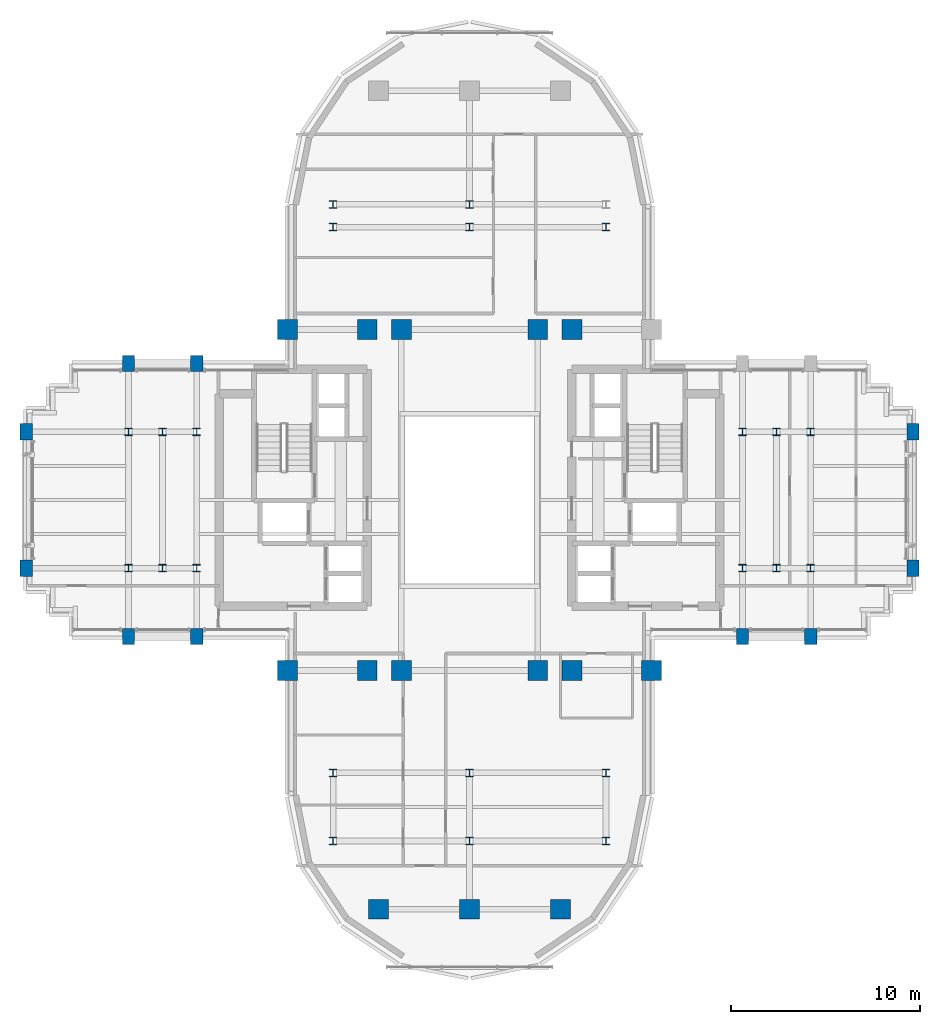
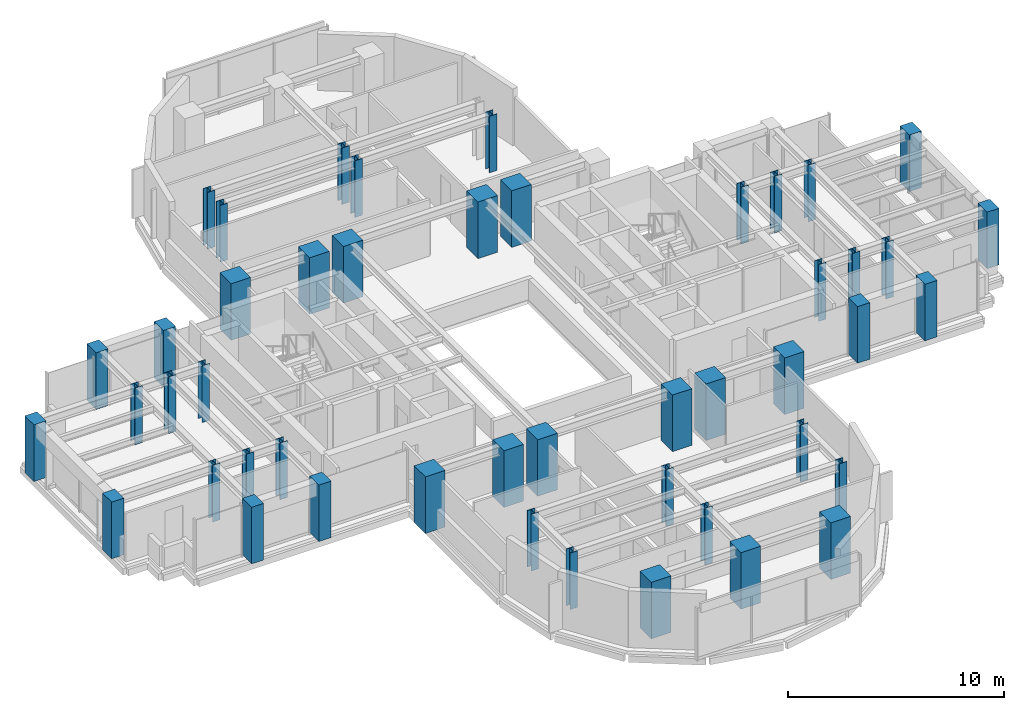
# One storey, part 1 of 14: 47 columns.
"""IFC4 building model written with IfcOpenShell, lengths in metres."""

from ifc_helpers import new_model, si_unit, direction, frame, origin, origin_2d, place, context, subcontext, project, spatial, rectangle, i_section, extrude, source, transform, mapped, material, material_profile, profile_set, type_object, element, save


model = new_model("IFC4")

# Units and contexts
model_context = context("Model", 3, precision=1e-05, world=origin(), true_north=direction((0.0, 1.0)))
body_context = subcontext(model_context, "Body", "Model", "MODEL_VIEW")
ifc_project = project(units=[si_unit("LENGTHUNIT", "METRE"), si_unit("AREAUNIT", "SQUARE_METRE"), si_unit("VOLUMEUNIT", "CUBIC_METRE"), si_unit("PLANEANGLEUNIT", "RADIAN"), si_unit("MASSUNIT", "GRAM", prefix="KILO")], contexts=[model_context])

# Site, building, storey
site_placement = place(None, origin())
site = spatial("IfcSite", under=ifc_project, at=site_placement, CompositionType="ELEMENT")
building_placement = place(site_placement, origin())
building = spatial("IfcBuilding", under=site, at=building_placement, Name="Keilestroom Media Tower", CompositionType="ELEMENT")
storey_placement = place(building_placement, frame((0.0, 0.0, 134.60009765625)))
storey = spatial("IfcBuildingStorey", under=building, at=storey_placement, Name="L36", CompositionType="ELEMENT", Elevation=134.60009765625)

# Columns
ifc_material_1 = material(Name="Precast concrete C40/50", Category="concrete")
ifc_material_profile_1 = material_profile(ifc_material_1, rectangle(XDim=0.64990234375, YDim=0.85009765625, at=origin_2d()), Name="PC 850x650")
ifc_profile_set_1 = profile_set([ifc_material_profile_1], Name="Precast concrete C40/50")
column_type_1 = type_object("IfcColumnType", Name="Structural-Column-PC-850x650", PredefinedType="COLUMN", material=ifc_profile_set_1)
shared_shape_1 = source(origin(), body_context, "Body", "SweptSolid", [
    extrude(rectangle(XDim=0.64990234375, YDim=0.85009765625, at=origin_2d()), origin(), (0.0, 0.0, 1.0), 3.199951171875),
])
for number, where, z_axis, x_axis, name in (
    (1, (-23.39990234375, -3.60009765625, 0.0), (0.0, 0.0, 1.0), (1.0, 0.0, 0.0), "L36 Column PC-2 (-23.4,-3.6)"),
    (2, (-23.39990234375, 3.60009765625, 0.0), (0.0, 0.0, 1.0), (1.0, 0.0, 0.0), "L36 Column PC-2 (-23.4,+3.6)"),
    (3, (-18.0, -7.199951171875, 0.0), (0.0, 0.0, 1.0), (1.0, 0.0, 0.0), "L36 Column PC-2 (-18.0,-7.2)"),
    (4, (-18.0, 7.199951171875, 0.0), (0.0, 0.0, 1.0), (1.0, 0.0, 0.0), "L36 Column PC-2 (-18.0,+7.2)"),
    (5, (-14.39990234375, -7.199951171875, 0.0), (0.0, 0.0, 1.0), (1.0, 0.0, 0.0), "L36 Column PC-2 (-14.4,-7.2)"),
    (6, (-14.39990234375, 7.199951171875, 0.0), (0.0, 0.0, 1.0), (1.0, 0.0, 0.0), "L36 Column PC-2 (-14.4,+7.2)"),
    (7, (14.39990234375, -7.199951171875, 0.0), (0.0, 0.0, 1.0), (1.0, 0.0, 0.0), "L36 Column PC-2 (+14.4,-7.2)"),
    (8, (18.0, -7.199951171875, 0.0), (0.0, 0.0, 1.0), (1.0, 0.0, 0.0), "L36 Column PC-2 (+18.0,-7.2)"),
    (9, (23.39990234375, -3.60009765625, 0.0), (0.0, 0.0, 1.0), (1.0, 0.0, 0.0), "L36 Column PC-2 (+23.4,-3.6)"),
    (10, (23.39990234375, 3.60009765625, 0.0), (0.0, 0.0, 1.0), (1.0, 0.0, 0.0), "L36 Column PC-2 (+23.4,+3.6)"),
):
    element("IfcColumn", number, at=place(storey_placement, frame(where, z_axis=z_axis, x_axis=x_axis)), inside=storey, type_object=column_type_1, Name=name, PredefinedType="COLUMN", context=body_context, shape_type="MappedRepresentation", body=[
        mapped(shared_shape_1, transform((0.0, 0.0, 0.0), x_axis=(1.0, 0.0, 0.0), y_axis=(0.0, 1.0, 0.0), z_axis=(0.0, 0.0, 1.0), scale=1.0)),
    ])
ifc_material_2 = material(Name="Steel S355", Category="steel")
ifc_material_profile_2 = material_profile(ifc_material_2, i_section(OverallWidth=0.40087890625, OverallDepth=0.39892578125, WebThickness=0.02001953125, FlangeThickness=0.031982421875, at=origin_2d()), Name="HD 400x314")
ifc_profile_set_2 = profile_set([ifc_material_profile_2], Name="Steel S355")
column_type_2 = type_object("IfcColumnType", Name="Structural-Column-HD-400x314", PredefinedType="COLUMN", material=ifc_profile_set_2)
shared_shape_2 = source(origin(), body_context, "Body", "SweptSolid", [
    extrude(i_section(OverallWidth=0.40087890625, OverallDepth=0.39892578125, WebThickness=0.02001953125, FlangeThickness=0.031982421875, at=origin_2d()), origin(), (0.0, 0.0, 1.0), 3.199951171875),
])
for number, where, z_axis, x_axis, name in (
    (11, (-18.0, -3.60009765625, 0.0), (0.0, 0.0, 1.0), (1.0, 0.0, 0.0), "L36 Column SC-3 (-18.0,-3.6)"),
    (12, (-18.0, 3.60009765625, 0.0), (0.0, 0.0, 1.0), (1.0, 0.0, 0.0), "L36 Column SC-3 (-18.0,+3.6)"),
    (13, (-16.199951171875, -3.60009765625, 0.0), (0.0, 0.0, 1.0), (1.0, 0.0, 0.0), "L36 Column SC-3 (-16.2,-3.6)"),
    (14, (-16.199951171875, 3.60009765625, 0.0), (0.0, 0.0, 1.0), (1.0, 0.0, 0.0), "L36 Column SC-3 (-16.2,+3.6)"),
    (15, (-14.39990234375, -3.60009765625, 0.0), (0.0, 0.0, 1.0), (1.0, 0.0, 0.0), "L36 Column SC-3 (-14.4,-3.6)"),
    (16, (-14.39990234375, 3.60009765625, 0.0), (0.0, 0.0, 1.0), (1.0, 0.0, 0.0), "L36 Column SC-3 (-14.4,+3.6)"),
    (17, (-7.199951171875, -18.0, 0.0), (0.0, 0.0, 1.0), (1.0, 0.0, 0.0), "L36 Column SC-3 (-7.2,-18.0)"),
    (18, (-7.199951171875, -14.39990234375, 0.0), (0.0, 0.0, 1.0), (1.0, 0.0, 0.0), "L36 Column SC-3 (-7.2,-14.4)"),
    (19, (-7.199951171875, 14.39990234375, 0.0), (0.0, 0.0, 1.0), (1.0, 0.0, 0.0), "L36 Column SC-3 (-7.2,+14.4)"),
    (20, (-7.199951171875, 15.60009765625, 0.0), (0.0, 0.0, 1.0), (1.0, 0.0, 0.0), "L36 Column SC-3 (-7.2,+15.6)"),
    (21, (0.0, -18.0, 0.0), (0.0, 0.0, 1.0), (1.0, 0.0, 0.0), "L36 Column SC-3 (+0.0,-18.0)"),
    (22, (0.0, -14.39990234375, 0.0), (0.0, 0.0, 1.0), (1.0, 0.0, 0.0), "L36 Column SC-3 (+0.0,-14.4)"),
    (23, (0.0, 14.39990234375, 0.0), (0.0, 0.0, 1.0), (1.0, 0.0, 0.0), "L36 Column SC-3 (+0.0,+14.4)"),
    (24, (0.0, 15.60009765625, 0.0), (0.0, 0.0, 1.0), (1.0, 0.0, 0.0), "L36 Column SC-3 (+0.0,+15.6)"),
    (25, (7.199951171875, -18.0, 0.0), (0.0, 0.0, 1.0), (1.0, 0.0, 0.0), "L36 Column SC-3 (+7.2,-18.0)"),
    (26, (7.199951171875, -14.39990234375, 0.0), (0.0, 0.0, 1.0), (1.0, 0.0, 0.0), "L36 Column SC-3 (+7.2,-14.4)"),
    (27, (7.199951171875, 14.39990234375, 0.0), (0.0, 0.0, 1.0), (1.0, 0.0, 0.0), "L36 Column SC-3 (+7.2,+14.4)"),
    (28, (14.39990234375, -3.60009765625, 0.0), (0.0, 0.0, 1.0), (1.0, 0.0, 0.0), "L36 Column SC-3 (+14.4,-3.6)"),
    (29, (14.39990234375, 3.60009765625, 0.0), (0.0, 0.0, 1.0), (1.0, 0.0, 0.0), "L36 Column SC-3 (+14.4,+3.6)"),
    (30, (16.199951171875, -3.60009765625, 0.0), (0.0, 0.0, 1.0), (1.0, 0.0, 0.0), "L36 Column SC-3 (+16.2,-3.6)"),
    (31, (16.199951171875, 3.60009765625, 0.0), (0.0, 0.0, 1.0), (1.0, 0.0, 0.0), "L36 Column SC-3 (+16.2,+3.6)"),
    (32, (18.0, -3.60009765625, 0.0), (0.0, 0.0, 1.0), (1.0, 0.0, 0.0), "L36 Column SC-3 (+18.0,-3.6)"),
    (33, (18.0, 3.60009765625, 0.0), (0.0, 0.0, 1.0), (1.0, 0.0, 0.0), "L36 Column SC-3 (+18.0,+3.6)"),
):
    element("IfcColumn", number, at=place(storey_placement, frame(where, z_axis=z_axis, x_axis=x_axis)), inside=storey, type_object=column_type_2, Name=name, PredefinedType="COLUMN", context=body_context, shape_type="MappedRepresentation", body=[
        mapped(shared_shape_2, transform((0.0, 0.0, 0.0), x_axis=(1.0, 0.0, 0.0), y_axis=(0.0, 1.0, 0.0), z_axis=(0.0, 0.0, 1.0), scale=1.0)),
    ])
ifc_material_3 = material(Name="Concrete C55/67", Category="concrete")
ifc_material_profile_3 = material_profile(ifc_material_3, rectangle(XDim=1.050048828125, YDim=1.050048828125, at=origin_2d()), Name="RC 1050x1050")
ifc_profile_set_3 = profile_set([ifc_material_profile_3], Name="Concrete C55/67")
column_type_3 = type_object("IfcColumnType", Name="Structural-Column-RC-1050x1050", PredefinedType="COLUMN", material=ifc_profile_set_3)
shared_shape_3 = source(origin(), body_context, "Body", "SweptSolid", [
    extrude(rectangle(XDim=1.050048828125, YDim=1.050048828125, at=origin_2d()), origin(), (0.0, 0.0, 1.0), 3.199951171875),
])
for number, where, z_axis, x_axis, name in (
    (34, (-9.60009765625, -9.0, 0.0), (0.0, 0.0, 1.0), (1.0, 0.0, 0.0), "L36 Column MC-3 (-9.6,-9.0)"),
    (35, (-9.60009765625, 9.0, 0.0), (0.0, 0.0, 1.0), (1.0, 0.0, 0.0), "L36 Column MC-3 (-9.6,+9.0)"),
    (36, (-5.39990234375, -9.0, 0.0), (0.0, 0.0, 1.0), (1.0, 0.0, 0.0), "L36 Column MC-3 (-5.4,-9.0)"),
    (37, (-5.39990234375, 9.0, 0.0), (0.0, 0.0, 1.0), (1.0, 0.0, 0.0), "L36 Column MC-3 (-5.4,+9.0)"),
    (38, (-4.800048828125, -21.60009765625, 0.0), (0.0, 0.0, 1.0), (1.0, 0.0, 0.0), "L36 Column MC-3 (-4.8,-21.6)"),
    (39, (-3.60009765625, -9.0, 0.0), (0.0, 0.0, 1.0), (1.0, 0.0, 0.0), "L36 Column MC-3 (-3.6,-9.0)"),
    (40, (-3.60009765625, 9.0, 0.0), (0.0, 0.0, 1.0), (1.0, 0.0, 0.0), "L36 Column MC-3 (-3.6,+9.0)"),
    (41, (0.0, -21.60009765625, 0.0), (0.0, 0.0, 1.0), (1.0, 0.0, 0.0), "L36 Column MC-3 (+0.0,-21.6)"),
    (42, (3.60009765625, -9.0, 0.0), (0.0, 0.0, 1.0), (1.0, 0.0, 0.0), "L36 Column MC-3 (+3.6,-9.0)"),
    (43, (3.60009765625, 9.0, 0.0), (0.0, 0.0, 1.0), (1.0, 0.0, 0.0), "L36 Column MC-3 (+3.6,+9.0)"),
    (44, (4.800048828125, -21.60009765625, 0.0), (0.0, 0.0, 1.0), (1.0, 0.0, 0.0), "L36 Column MC-3 (+4.8,-21.6)"),
    (45, (5.39990234375, -9.0, 0.0), (0.0, 0.0, 1.0), (1.0, 0.0, 0.0), "L36 Column MC-3 (+5.4,-9.0)"),
    (46, (5.39990234375, 9.0, 0.0), (0.0, 0.0, 1.0), (1.0, 0.0, 0.0), "L36 Column MC-3 (+5.4,+9.0)"),
    (47, (9.60009765625, -9.0, 0.0), (0.0, 0.0, 1.0), (1.0, 0.0, 0.0), "L36 Column MC-3 (+9.6,-9.0)"),
):
    element("IfcColumn", number, at=place(storey_placement, frame(where, z_axis=z_axis, x_axis=x_axis)), inside=storey, type_object=column_type_3, Name=name, PredefinedType="COLUMN", context=body_context, shape_type="MappedRepresentation", body=[
        mapped(shared_shape_3, transform((0.0, 0.0, 0.0), x_axis=(1.0, 0.0, 0.0), y_axis=(0.0, 1.0, 0.0), z_axis=(0.0, 0.0, 1.0), scale=1.0)),
    ])

save(model, "model.ifc")
